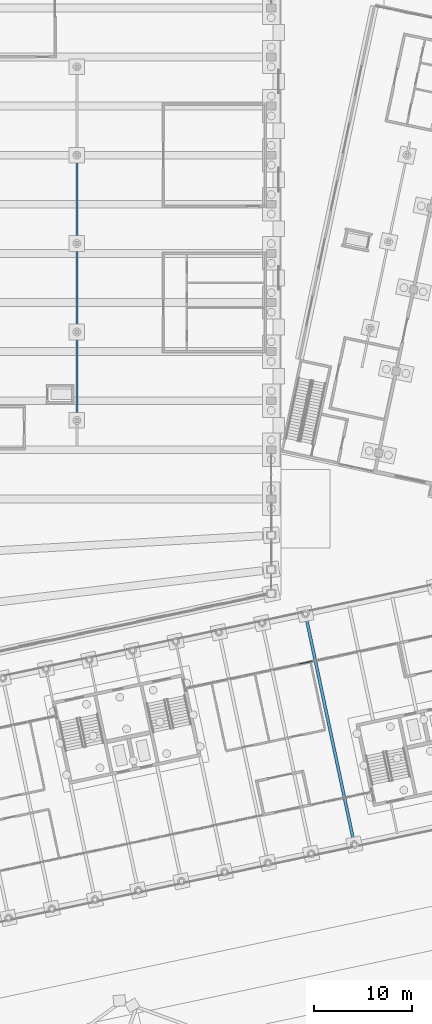
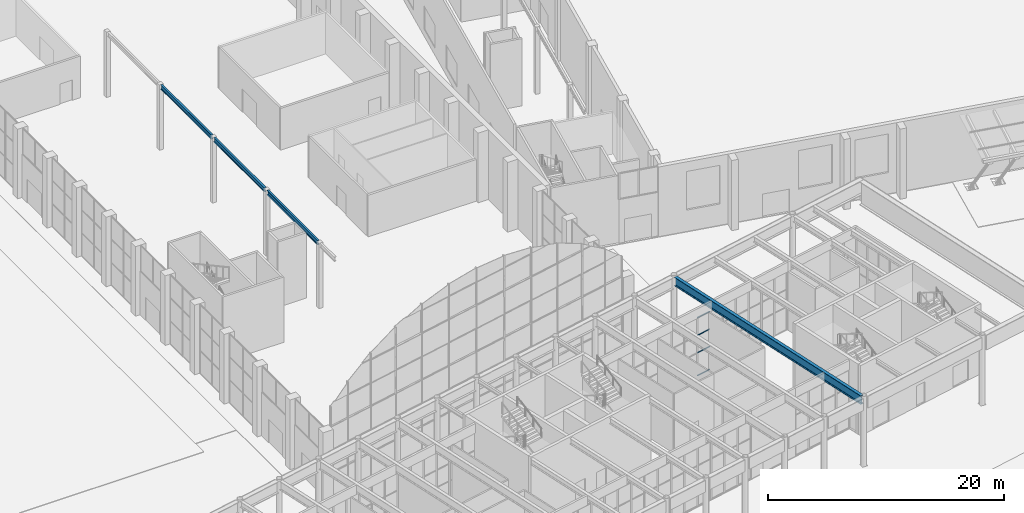
# One storey, part 117 of 239: 4 beams, 4 members, 1 element without a shape of its own.
"""IFC4 building model written with IfcOpenShell, lengths in metres."""

from ifc_helpers import new_model, si_unit, direction, frame, origin, origin_2d, place, context, subcontext, project, spatial, hollow_rectangle, i_section, extrude, material, material_profile, profile_set, type_object, element, aggregate, save


model = new_model("IFC4")

# Units and contexts
model_context = context("Model", 3, precision=1e-05, world=origin(), true_north=direction((0.0, 1.0)))
body_context = subcontext(model_context, "Body", "Model", "MODEL_VIEW")
ifc_project = project(units=[si_unit("LENGTHUNIT", "METRE"), si_unit("AREAUNIT", "SQUARE_METRE"), si_unit("VOLUMEUNIT", "CUBIC_METRE"), si_unit("PLANEANGLEUNIT", "RADIAN"), si_unit("MASSUNIT", "GRAM", prefix="KILO")], contexts=[model_context])

# Site, building, storey
site_placement = place(None, origin())
site = spatial("IfcSite", under=ifc_project, at=site_placement, CompositionType="ELEMENT")
building_placement = place(site_placement, origin())
building = spatial("IfcBuilding", under=site, at=building_placement, Name="Okhra Congress Centre", CompositionType="ELEMENT")
storey_placement = place(building_placement, origin())
storey = spatial("IfcBuildingStorey", under=building, at=storey_placement, Name="L00", CompositionType="ELEMENT", Elevation=0.0)

# Curtain wall, members
ifc_material_1 = material(Name="Aluminium curtain wall, triple glazing", Category="aluminium")
curtain_wall_type = type_object("IfcCurtainWallType", Name="Curtain wall 1500 module", PredefinedType="NOTDEFINED", material=ifc_material_1)
curtain_wall_placement = place(storey_placement, origin())
curtain_wall = element("IfcCurtainWall", 1, at=curtain_wall_placement, inside=storey, type_object=curtain_wall_type, Name="Ground curtain wall N10", PredefinedType="NOTDEFINED")
ifc_material_2 = material(Name="Aluminium alloy EN AW-6063 T66", Category="aluminium")
ifc_material_profile_1 = material_profile(ifc_material_2, hollow_rectangle(XDim=0.06005859375, YDim=0.10009765625, WallThickness=0.00390625, at=origin_2d()), Name="RHS 60x100x4")
ifc_profile_set_1 = profile_set([ifc_material_profile_1], Name="Aluminium alloy EN AW-6063 T66")
member_type = type_object("IfcMemberType", Name="Curtain wall transom 60x100", PredefinedType="USERDEFINED", material=ifc_profile_set_1)
member_1_placement = place(storey_placement, frame((191.8017578125, 74.182373046875, 0.030029296875), z_axis=(0.978134537503, 0.207973138996, 0.0), x_axis=(-0.207973138996, 0.978134537503, 0.0)))
member_1 = element("IfcMember", 2, at=member_1_placement, type_object=member_type, Name="CW7 transom 9.1", ObjectType="TRANSOM", PredefinedType="USERDEFINED", context=body_context, shape_type="SweptSolid", body=[
    extrude(hollow_rectangle(XDim=0.06005859375, YDim=0.10009765625, WallThickness=0.00390625, at=origin_2d()), origin(), (0.0, 0.0, 1.0), 1.404052734375),
])
member_2_placement = place(storey_placement, frame((191.8017578125, 74.182373046875, 2.39990234375), z_axis=(0.978134537503, 0.207973138996, 0.0), x_axis=(-0.207973138996, 0.978134537503, 0.0)))
member_2 = element("IfcMember", 3, at=member_2_placement, type_object=member_type, Name="CW7 transom 9.2", ObjectType="TRANSOM", PredefinedType="USERDEFINED", context=body_context, shape_type="SweptSolid", body=[
    extrude(hollow_rectangle(XDim=0.06005859375, YDim=0.10009765625, WallThickness=0.00390625, at=origin_2d()), origin(), (0.0, 0.0, 1.0), 1.404052734375),
])
member_3_placement = place(storey_placement, frame((191.8017578125, 74.182373046875, 4.199951171875), z_axis=(0.978134537503, 0.207973138996, 0.0), x_axis=(-0.207973138996, 0.978134537503, 0.0)))
member_3 = element("IfcMember", 4, at=member_3_placement, type_object=member_type, Name="CW7 transom 9.3", ObjectType="TRANSOM", PredefinedType="USERDEFINED", context=body_context, shape_type="SweptSolid", body=[
    extrude(hollow_rectangle(XDim=0.06005859375, YDim=0.10009765625, WallThickness=0.00390625, at=origin_2d()), origin(), (0.0, 0.0, 1.0), 1.404052734375),
])
member_4_placement = place(storey_placement, frame((191.8017578125, 74.182373046875, 6.02001953125), z_axis=(0.978134537503, 0.207973138996, 0.0), x_axis=(-0.207973138996, 0.978134537503, 0.0)))
member_4 = element("IfcMember", 5, at=member_4_placement, type_object=member_type, Name="CW7 transom 9.4", ObjectType="TRANSOM", PredefinedType="USERDEFINED", context=body_context, shape_type="SweptSolid", body=[
    extrude(hollow_rectangle(XDim=0.06005859375, YDim=0.10009765625, WallThickness=0.00390625, at=origin_2d()), origin(), (0.0, 0.0, 1.0), 1.404052734375),
])
aggregate(curtain_wall, [member_1, member_2, member_3, member_4])

# Beams
ifc_material_3 = material(Name="Steel S355J2", Category="steel")
ifc_material_profile_2 = material_profile(ifc_material_3, i_section(OverallWidth=0.300048828125, OverallDepth=0.89990234375, WebThickness=0.0185546875, FlangeThickness=0.034912109375, FilletRadius=0.030029296875, at=origin_2d()), Name="HE 900 B")
ifc_profile_set_2 = profile_set([ifc_material_profile_2], Name="Steel S355J2")
beam_type_1 = type_object("IfcBeamType", Name="Floor beam HE 900 B", PredefinedType="BEAM", material=ifc_profile_set_2)
beam_placement = place(storey_placement, frame((197.4208984375, 56.008544921875, 6.60009765625), z_axis=(-0.207903173005, 0.978149411212, 0.0), x_axis=(-0.978149411212, -0.207903173005, 0.0)))
element("IfcBeam", 6, at=beam_placement, inside=storey, type_object=beam_type_1, Name="Floor beam 31.1", PredefinedType="BEAM", context=body_context, shape_type="SweptSolid", body=[
    extrude(i_section(OverallWidth=0.300048828125, OverallDepth=0.89990234375, WebThickness=0.0185546875, FlangeThickness=0.034912109375, FilletRadius=0.030029296875, at=origin_2d()), origin(), (0.0, 0.0, 1.0), 23.599853515625),
])
ifc_material_profile_3 = material_profile(ifc_material_3, i_section(OverallWidth=0.18994140625, OverallDepth=0.449951171875, WebThickness=0.009521484375, FlangeThickness=0.0146484375, at=origin_2d()), Name="IPE 450")
ifc_profile_set_3 = profile_set([ifc_material_profile_3], Name="Steel S355J2")
beam_type_2 = type_object("IfcBeamType", Name="Steel gallery edge beam IPE 450", PredefinedType="BEAM", material=ifc_profile_set_3)
for number, where, z_axis, x_axis, name in (
    (7, (169.199951171875, 99.199951171875, 6.52490234375), (0.0, 1.0, 0.0), (-1.0, 0.0, 0.0), "Gallery edge beam 2"),
    (8, (169.199951171875, 108.199951171875, 6.52490234375), (0.0, 1.0, 0.0), (-1.0, 0.0, 0.0), "Gallery edge beam 3"),
    (9, (169.199951171875, 117.199951171875, 6.52490234375), (0.0, 1.0, 0.0), (-1.0, 0.0, 0.0), "Gallery edge beam 4"),
):
    element("IfcBeam", number, at=place(storey_placement, frame(where, z_axis=z_axis, x_axis=x_axis)), inside=storey, type_object=beam_type_2, Name=name, PredefinedType="BEAM", context=body_context, shape_type="SweptSolid", body=[
        extrude(i_section(OverallWidth=0.18994140625, OverallDepth=0.449951171875, WebThickness=0.009521484375, FlangeThickness=0.0146484375, at=origin_2d()), origin(), (0.0, 0.0, 1.0), 8.60009765625),
    ])

save(model, "model.ifc")
